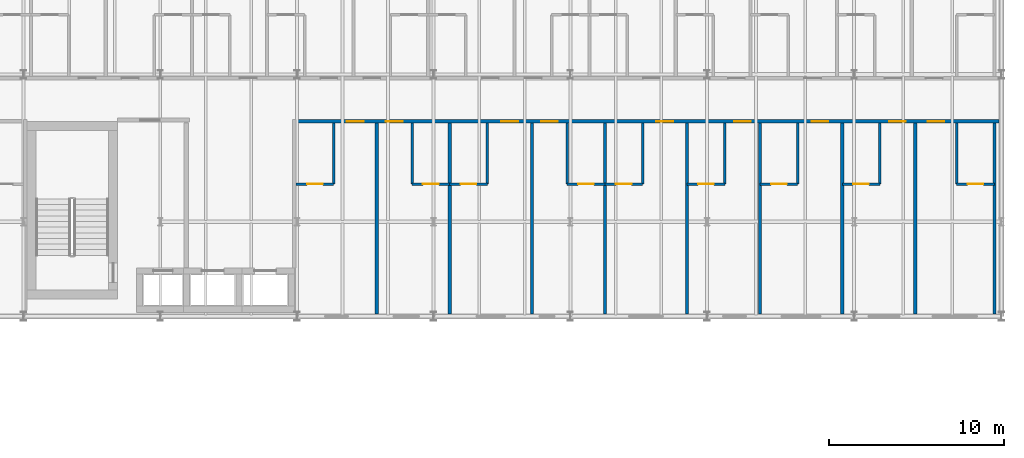
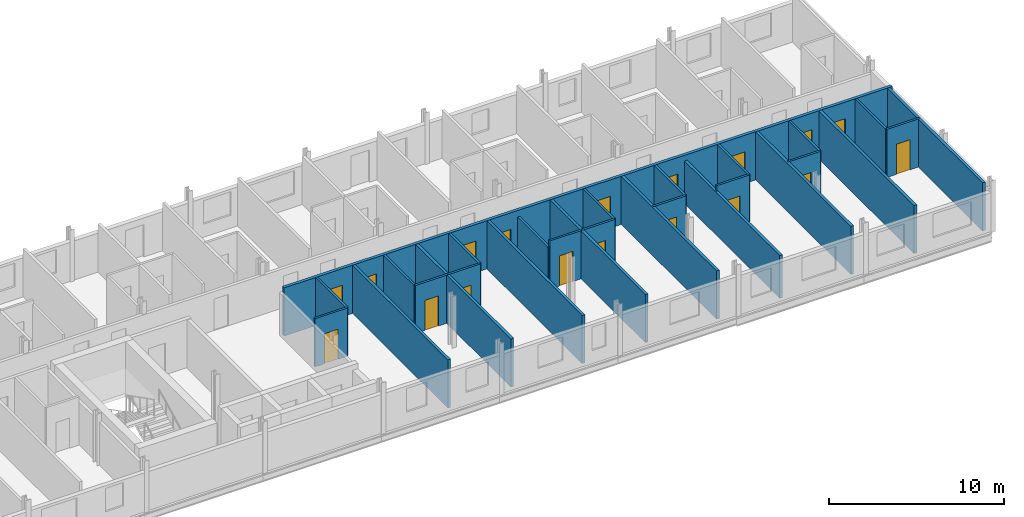
# One storey, part 27 of 34: 28 walls, 18 doors, 18 openings.
"""IFC4 building model written with IfcOpenShell, lengths in metres."""

from ifc_helpers import new_model, si_unit, direction, frame, frame_2d, origin, place, context, subcontext, project, spatial, rectangle, extrude, material, layer, layer_set, type_object, element, fill, save


model = new_model("IFC4")

# Units and contexts
model_context = context("Model", 3, precision=1e-05, world=origin(), true_north=direction((0.0, 1.0)))
body_context = subcontext(model_context, "Body", "Model", "MODEL_VIEW")
ifc_project = project(units=[si_unit("LENGTHUNIT", "METRE"), si_unit("AREAUNIT", "SQUARE_METRE"), si_unit("VOLUMEUNIT", "CUBIC_METRE"), si_unit("PLANEANGLEUNIT", "RADIAN"), si_unit("MASSUNIT", "GRAM", prefix="KILO")], contexts=[model_context])

# Site, building, storey
site_placement = place(None, origin())
site = spatial("IfcSite", under=ifc_project, at=site_placement, CompositionType="ELEMENT")
building_placement = place(site_placement, origin())
building = spatial("IfcBuilding", under=site, at=building_placement, Name="Sefraquen Railside Congress Hotel", CompositionType="ELEMENT")
storey_placement = place(building_placement, frame((0.0, 0.0, 31.800048828125)))
storey = spatial("IfcBuildingStorey", under=building, at=storey_placement, Name="L07", CompositionType="ELEMENT", Elevation=31.800048828125)

# Wall
ifc_material_1 = material(Name="Moisture-resistant gypsum board", Category="gypsum")
ifc_layer_1 = layer(ifc_material_1, 0.139892578125)
ifc_layer_set_1 = layer_set([ifc_layer_1], Name="Moisture-resistant gypsum board")
wall_type_1 = type_object("IfcWallType", Name="TW-PW-140", PredefinedType="PARTITIONING", material=ifc_layer_set_1)
wall_1_placement = place(storey_placement, frame((81.89990234375, 103.550048828125, 0.0), z_axis=(0.0, 0.0, 1.0), x_axis=(0.0, 1.0, 0.0)))
element("IfcWall", 1, at=wall_1_placement, inside=storey, type_object=wall_type_1, Name="En-suite bathroom east wall RM-028", PredefinedType="PARTITIONING", context=body_context, shape_type="SweptSolid", body=[
    extrude(rectangle(XDim=3.469970703125, YDim=0.139892578125, at=frame_2d((1.73486328125, 0.0))), origin(), (0.0, 0.0, 1.0), 3.35986328125),
])

# Wall, opening, door
wall_2_placement = place(storey_placement, frame((79.75, 103.550048828125, 0.0), z_axis=(0.0, 0.0, 1.0), x_axis=(1.0, 0.0, 0.0)))
wall_2 = element("IfcWall", 2, at=wall_2_placement, inside=storey, type_object=wall_type_1, Name="En-suite bathroom south wall RM-028", PredefinedType="PARTITIONING", context=body_context, shape_type="SweptSolid", body=[
    extrude(rectangle(XDim=2.14990234375, YDim=0.139892578125, at=frame_2d((1.074951171875, 0.0))), origin(), (0.0, 0.0, 1.0), 3.35986328125),
])
opening_1_placement = place(wall_2_placement, frame((0.625, 0.0, 0.0)))
opening_1 = element("IfcOpeningElement", 3, at=opening_1_placement, cuts=wall_2, Name="Opening ID-02", PredefinedType="OPENING", context=body_context, shape_type="SweptSolid", body=[
    extrude(rectangle(XDim=0.89990234375, YDim=2.10009765625, at=frame_2d((0.449951171875, 1.050048828125))), frame((0.0, 0.079833984375, 0.0), z_axis=(0.0, -1.0, 0.0), x_axis=(1.0, 0.0, 0.0)), (0.0, 0.0, 1.0), 0.159912109375),
])
ifc_material_2 = material(Name="Lacquered cedar joinery", Category="wood")
door_type_1 = type_object("IfcDoorType", Name="TD-ID-02", OperationType="NOTDEFINED", PredefinedType="DOOR", material=ifc_material_2)
door_1_placement = place(opening_1_placement, frame((0.89990234375, 0.0, 0.0), z_axis=(0.0, 0.0, 1.0), x_axis=(-1.0, 0.0, 0.0)))
door_1 = element("IfcDoor", 4, at=door_1_placement, inside=storey, type_object=door_type_1, Name="En-suite bathroom door RM-028", OperationType="SINGLE_SWING_LEFT", OverallHeight=2.10009765625, OverallWidth=0.89990234375, PredefinedType="DOOR", context=body_context, shape_type="SweptSolid", body=[
    extrude(rectangle(XDim=0.89990234375, YDim=2.10009765625, at=frame_2d((0.449951171875, 1.050048828125))), frame((0.0, 0.02490234375, 0.0), z_axis=(0.0, -1.0, 0.0), x_axis=(1.0, 0.0, 0.0)), (0.0, 0.0, 1.0), 0.050048828125),
])
fill(opening_1, door_1)

# Wall
wall_3_placement = place(storey_placement, frame((86.367919921875, 103.550048828125, 0.0), z_axis=(0.0, 0.0, 1.0), x_axis=(0.0, 1.0, 0.0)))
element("IfcWall", 5, at=wall_3_placement, inside=storey, type_object=wall_type_1, Name="En-suite bathroom west wall RM-029", PredefinedType="PARTITIONING", context=body_context, shape_type="SweptSolid", body=[
    extrude(rectangle(XDim=3.469970703125, YDim=0.139892578125, at=frame_2d((1.73486328125, 0.0))), origin(), (0.0, 0.0, 1.0), 3.35986328125),
])

# Wall, opening, door
wall_4_placement = place(storey_placement, frame((86.367919921875, 103.550048828125, 0.0), z_axis=(0.0, 0.0, 1.0), x_axis=(1.0, 0.0, 0.0)))
wall_4 = element("IfcWall", 6, at=wall_4_placement, inside=storey, type_object=wall_type_1, Name="En-suite bathroom south wall RM-029", PredefinedType="PARTITIONING", context=body_context, shape_type="SweptSolid", body=[
    extrude(rectangle(XDim=2.150146484375, YDim=0.139892578125, at=frame_2d((1.0751953125, 0.0))), origin(), (0.0, 0.0, 1.0), 3.35986328125),
])
opening_2_placement = place(wall_4_placement, frame((0.625, 0.0, 0.0)))
opening_2 = element("IfcOpeningElement", 7, at=opening_2_placement, cuts=wall_4, Name="Opening ID-02", PredefinedType="OPENING", context=body_context, shape_type="SweptSolid", body=[
    extrude(rectangle(XDim=0.89990234375, YDim=2.10009765625, at=frame_2d((0.449951171875, 1.050048828125))), frame((0.0, 0.079833984375, 0.0), z_axis=(0.0, -1.0, 0.0), x_axis=(1.0, 0.0, 0.0)), (0.0, 0.0, 1.0), 0.159912109375),
])
door_2_placement = place(opening_2_placement, frame((0.89990234375, 0.0, 0.0), z_axis=(0.0, 0.0, 1.0), x_axis=(-1.0, 0.0, 0.0)))
door_2 = element("IfcDoor", 8, at=door_2_placement, inside=storey, type_object=door_type_1, Name="En-suite bathroom door RM-029", OperationType="SINGLE_SWING_LEFT", OverallHeight=2.10009765625, OverallWidth=0.89990234375, PredefinedType="DOOR", context=body_context, shape_type="SweptSolid", body=[
    extrude(rectangle(XDim=0.89990234375, YDim=2.10009765625, at=frame_2d((0.449951171875, 1.050048828125))), frame((0.0, 0.02490234375, 0.0), z_axis=(0.0, -1.0, 0.0), x_axis=(1.0, 0.0, 0.0)), (0.0, 0.0, 1.0), 0.050048828125),
])
fill(opening_2, door_2)

# Wall
wall_5_placement = place(storey_placement, frame((90.66796875, 103.550048828125, 0.0), z_axis=(0.0, 0.0, 1.0), x_axis=(0.0, 1.0, 0.0)))
element("IfcWall", 9, at=wall_5_placement, inside=storey, type_object=wall_type_1, Name="En-suite bathroom east wall RM-030", PredefinedType="PARTITIONING", context=body_context, shape_type="SweptSolid", body=[
    extrude(rectangle(XDim=3.469970703125, YDim=0.139892578125, at=frame_2d((1.73486328125, 0.0))), origin(), (0.0, 0.0, 1.0), 3.35986328125),
])

# Wall, opening, door
wall_6_placement = place(storey_placement, frame((88.51806640625, 103.550048828125, 0.0), z_axis=(0.0, 0.0, 1.0), x_axis=(1.0, 0.0, 0.0)))
wall_6 = element("IfcWall", 10, at=wall_6_placement, inside=storey, type_object=wall_type_1, Name="En-suite bathroom south wall RM-030", PredefinedType="PARTITIONING", context=body_context, shape_type="SweptSolid", body=[
    extrude(rectangle(XDim=2.14990234375, YDim=0.139892578125, at=frame_2d((1.074951171875, 0.0))), origin(), (0.0, 0.0, 1.0), 3.35986328125),
])
opening_3_placement = place(wall_6_placement, frame((0.625, 0.0, 0.0)))
opening_3 = element("IfcOpeningElement", 11, at=opening_3_placement, cuts=wall_6, Name="Opening ID-02", PredefinedType="OPENING", context=body_context, shape_type="SweptSolid", body=[
    extrude(rectangle(XDim=0.89990234375, YDim=2.10009765625, at=frame_2d((0.449951171875, 1.050048828125))), frame((0.0, 0.079833984375, 0.0), z_axis=(0.0, -1.0, 0.0), x_axis=(1.0, 0.0, 0.0)), (0.0, 0.0, 1.0), 0.159912109375),
])
door_3_placement = place(opening_3_placement, frame((0.89990234375, 0.0, 0.0), z_axis=(0.0, 0.0, 1.0), x_axis=(-1.0, 0.0, 0.0)))
door_3 = element("IfcDoor", 12, at=door_3_placement, inside=storey, type_object=door_type_1, Name="En-suite bathroom door RM-030", OperationType="SINGLE_SWING_LEFT", OverallHeight=2.10009765625, OverallWidth=0.89990234375, PredefinedType="DOOR", context=body_context, shape_type="SweptSolid", body=[
    extrude(rectangle(XDim=0.89990234375, YDim=2.10009765625, at=frame_2d((0.449951171875, 1.050048828125))), frame((0.0, 0.02490234375, 0.0), z_axis=(0.0, -1.0, 0.0), x_axis=(1.0, 0.0, 0.0)), (0.0, 0.0, 1.0), 0.050048828125),
])
fill(opening_3, door_3)

# Wall
wall_7_placement = place(storey_placement, frame((95.222900390625, 103.550048828125, 0.0), z_axis=(0.0, 0.0, 1.0), x_axis=(0.0, 1.0, 0.0)))
element("IfcWall", 13, at=wall_7_placement, inside=storey, type_object=wall_type_1, Name="En-suite bathroom west wall RM-031", PredefinedType="PARTITIONING", context=body_context, shape_type="SweptSolid", body=[
    extrude(rectangle(XDim=3.469970703125, YDim=0.139892578125, at=frame_2d((1.73486328125, 0.0))), origin(), (0.0, 0.0, 1.0), 2.909912109375),
])

# Wall, opening, door
wall_8_placement = place(storey_placement, frame((95.222900390625, 103.550048828125, 0.0), z_axis=(0.0, 0.0, 1.0), x_axis=(1.0, 0.0, 0.0)))
wall_8 = element("IfcWall", 14, at=wall_8_placement, inside=storey, type_object=wall_type_1, Name="En-suite bathroom south wall RM-031", PredefinedType="PARTITIONING", context=body_context, shape_type="SweptSolid", body=[
    extrude(rectangle(XDim=2.150146484375, YDim=0.139892578125, at=frame_2d((1.0751953125, 0.0))), origin(), (0.0, 0.0, 1.0), 3.35986328125),
])
opening_4_placement = place(wall_8_placement, frame((0.625, 0.0, 0.0)))
opening_4 = element("IfcOpeningElement", 15, at=opening_4_placement, cuts=wall_8, Name="Opening ID-02", PredefinedType="OPENING", context=body_context, shape_type="SweptSolid", body=[
    extrude(rectangle(XDim=0.89990234375, YDim=2.10009765625, at=frame_2d((0.449951171875, 1.050048828125))), frame((0.0, 0.079833984375, 0.0), z_axis=(0.0, -1.0, 0.0), x_axis=(1.0, 0.0, 0.0)), (0.0, 0.0, 1.0), 0.159912109375),
])
door_4_placement = place(opening_4_placement, frame((0.89990234375, 0.0, 0.0), z_axis=(0.0, 0.0, 1.0), x_axis=(-1.0, 0.0, 0.0)))
door_4 = element("IfcDoor", 16, at=door_4_placement, inside=storey, type_object=door_type_1, Name="En-suite bathroom door RM-031", OperationType="SINGLE_SWING_LEFT", OverallHeight=2.10009765625, OverallWidth=0.89990234375, PredefinedType="DOOR", context=body_context, shape_type="SweptSolid", body=[
    extrude(rectangle(XDim=0.89990234375, YDim=2.10009765625, at=frame_2d((0.449951171875, 1.050048828125))), frame((0.0, 0.02490234375, 0.0), z_axis=(0.0, -1.0, 0.0), x_axis=(1.0, 0.0, 0.0)), (0.0, 0.0, 1.0), 0.050048828125),
])
fill(opening_4, door_4)

# Wall
wall_9_placement = place(storey_placement, frame((99.52294921875, 103.550048828125, 0.0), z_axis=(0.0, 0.0, 1.0), x_axis=(0.0, 1.0, 0.0)))
element("IfcWall", 17, at=wall_9_placement, inside=storey, type_object=wall_type_1, Name="En-suite bathroom east wall RM-032", PredefinedType="PARTITIONING", context=body_context, shape_type="SweptSolid", body=[
    extrude(rectangle(XDim=3.469970703125, YDim=0.139892578125, at=frame_2d((1.73486328125, 0.0))), origin(), (0.0, 0.0, 1.0), 3.35986328125),
])

# Wall, opening, door
wall_10_placement = place(storey_placement, frame((97.373046875, 103.550048828125, 0.0), z_axis=(0.0, 0.0, 1.0), x_axis=(1.0, 0.0, 0.0)))
wall_10 = element("IfcWall", 18, at=wall_10_placement, inside=storey, type_object=wall_type_1, Name="En-suite bathroom south wall RM-032", PredefinedType="PARTITIONING", context=body_context, shape_type="SweptSolid", body=[
    extrude(rectangle(XDim=2.14990234375, YDim=0.139892578125, at=frame_2d((1.074951171875, 0.0))), origin(), (0.0, 0.0, 1.0), 3.35986328125),
])
opening_5_placement = place(wall_10_placement, frame((0.625, 0.0, 0.0)))
opening_5 = element("IfcOpeningElement", 19, at=opening_5_placement, cuts=wall_10, Name="Opening ID-02", PredefinedType="OPENING", context=body_context, shape_type="SweptSolid", body=[
    extrude(rectangle(XDim=0.89990234375, YDim=2.10009765625, at=frame_2d((0.449951171875, 1.050048828125))), frame((0.0, 0.079833984375, 0.0), z_axis=(0.0, -1.0, 0.0), x_axis=(1.0, 0.0, 0.0)), (0.0, 0.0, 1.0), 0.159912109375),
])
door_5_placement = place(opening_5_placement, frame((0.89990234375, 0.0, 0.0), z_axis=(0.0, 0.0, 1.0), x_axis=(-1.0, 0.0, 0.0)))
door_5 = element("IfcDoor", 20, at=door_5_placement, inside=storey, type_object=door_type_1, Name="En-suite bathroom door RM-032", OperationType="SINGLE_SWING_LEFT", OverallHeight=2.10009765625, OverallWidth=0.89990234375, PredefinedType="DOOR", context=body_context, shape_type="SweptSolid", body=[
    extrude(rectangle(XDim=0.89990234375, YDim=2.10009765625, at=frame_2d((0.449951171875, 1.050048828125))), frame((0.0, 0.02490234375, 0.0), z_axis=(0.0, -1.0, 0.0), x_axis=(1.0, 0.0, 0.0)), (0.0, 0.0, 1.0), 0.050048828125),
])
fill(opening_5, door_5)

# Wall
wall_11_placement = place(storey_placement, frame((104.215087890625, 103.550048828125, 0.0), z_axis=(0.0, 0.0, 1.0), x_axis=(0.0, 1.0, 0.0)))
element("IfcWall", 21, at=wall_11_placement, inside=storey, type_object=wall_type_1, Name="En-suite bathroom east wall RM-033", PredefinedType="PARTITIONING", context=body_context, shape_type="SweptSolid", body=[
    extrude(rectangle(XDim=3.469970703125, YDim=0.139892578125, at=frame_2d((1.73486328125, 0.0))), origin(), (0.0, 0.0, 1.0), 3.35986328125),
])

# Wall, opening, door
wall_12_placement = place(storey_placement, frame((102.06494140625, 103.550048828125, 0.0), z_axis=(0.0, 0.0, 1.0), x_axis=(1.0, 0.0, 0.0)))
wall_12 = element("IfcWall", 22, at=wall_12_placement, inside=storey, type_object=wall_type_1, Name="En-suite bathroom south wall RM-033", PredefinedType="PARTITIONING", context=body_context, shape_type="SweptSolid", body=[
    extrude(rectangle(XDim=2.150146484375, YDim=0.139892578125, at=frame_2d((1.0751953125, 0.0))), origin(), (0.0, 0.0, 1.0), 3.35986328125),
])
opening_6_placement = place(wall_12_placement, frame((0.625, 0.0, 0.0)))
opening_6 = element("IfcOpeningElement", 23, at=opening_6_placement, cuts=wall_12, Name="Opening ID-02", PredefinedType="OPENING", context=body_context, shape_type="SweptSolid", body=[
    extrude(rectangle(XDim=0.89990234375, YDim=2.10009765625, at=frame_2d((0.449951171875, 1.050048828125))), frame((0.0, 0.079833984375, 0.0), z_axis=(0.0, -1.0, 0.0), x_axis=(1.0, 0.0, 0.0)), (0.0, 0.0, 1.0), 0.159912109375),
])
door_6_placement = place(opening_6_placement, frame((0.89990234375, 0.0, 0.0), z_axis=(0.0, 0.0, 1.0), x_axis=(-1.0, 0.0, 0.0)))
door_6 = element("IfcDoor", 24, at=door_6_placement, inside=storey, type_object=door_type_1, Name="En-suite bathroom door RM-033", OperationType="SINGLE_SWING_LEFT", OverallHeight=2.10009765625, OverallWidth=0.89990234375, PredefinedType="DOOR", context=body_context, shape_type="SweptSolid", body=[
    extrude(rectangle(XDim=0.89990234375, YDim=2.10009765625, at=frame_2d((0.449951171875, 1.050048828125))), frame((0.0, 0.02490234375, 0.0), z_axis=(0.0, -1.0, 0.0), x_axis=(1.0, 0.0, 0.0)), (0.0, 0.0, 1.0), 0.050048828125),
])
fill(opening_6, door_6)

# Wall
wall_13_placement = place(storey_placement, frame((108.37890625, 103.550048828125, 0.0), z_axis=(0.0, 0.0, 1.0), x_axis=(0.0, 1.0, 0.0)))
element("IfcWall", 25, at=wall_13_placement, inside=storey, type_object=wall_type_1, Name="En-suite bathroom east wall RM-034", PredefinedType="PARTITIONING", context=body_context, shape_type="SweptSolid", body=[
    extrude(rectangle(XDim=3.469970703125, YDim=0.139892578125, at=frame_2d((1.73486328125, 0.0))), origin(), (0.0, 0.0, 1.0), 3.35986328125),
])

# Wall, opening, door
wall_14_placement = place(storey_placement, frame((106.22900390625, 103.550048828125, 0.0), z_axis=(0.0, 0.0, 1.0), x_axis=(1.0, 0.0, 0.0)))
wall_14 = element("IfcWall", 26, at=wall_14_placement, inside=storey, type_object=wall_type_1, Name="En-suite bathroom south wall RM-034", PredefinedType="PARTITIONING", context=body_context, shape_type="SweptSolid", body=[
    extrude(rectangle(XDim=2.14990234375, YDim=0.139892578125, at=frame_2d((1.074951171875, 0.0))), origin(), (0.0, 0.0, 1.0), 3.35986328125),
])
opening_7_placement = place(wall_14_placement, frame((0.625, 0.0, 0.0)))
opening_7 = element("IfcOpeningElement", 27, at=opening_7_placement, cuts=wall_14, Name="Opening ID-02", PredefinedType="OPENING", context=body_context, shape_type="SweptSolid", body=[
    extrude(rectangle(XDim=0.89990234375, YDim=2.10009765625, at=frame_2d((0.449951171875, 1.050048828125))), frame((0.0, 0.079833984375, 0.0), z_axis=(0.0, -1.0, 0.0), x_axis=(1.0, 0.0, 0.0)), (0.0, 0.0, 1.0), 0.159912109375),
])
door_7_placement = place(opening_7_placement, frame((0.89990234375, 0.0, 0.0), z_axis=(0.0, 0.0, 1.0), x_axis=(-1.0, 0.0, 0.0)))
door_7 = element("IfcDoor", 28, at=door_7_placement, inside=storey, type_object=door_type_1, Name="En-suite bathroom door RM-034", OperationType="SINGLE_SWING_LEFT", OverallHeight=2.10009765625, OverallWidth=0.89990234375, PredefinedType="DOOR", context=body_context, shape_type="SweptSolid", body=[
    extrude(rectangle(XDim=0.89990234375, YDim=2.10009765625, at=frame_2d((0.449951171875, 1.050048828125))), frame((0.0, 0.02490234375, 0.0), z_axis=(0.0, -1.0, 0.0), x_axis=(1.0, 0.0, 0.0)), (0.0, 0.0, 1.0), 0.050048828125),
])
fill(opening_7, door_7)

# Wall
wall_15_placement = place(storey_placement, frame((113.070068359375, 103.550048828125, 0.0), z_axis=(0.0, 0.0, 1.0), x_axis=(0.0, 1.0, 0.0)))
element("IfcWall", 29, at=wall_15_placement, inside=storey, type_object=wall_type_1, Name="En-suite bathroom east wall RM-035", PredefinedType="PARTITIONING", context=body_context, shape_type="SweptSolid", body=[
    extrude(rectangle(XDim=3.469970703125, YDim=0.139892578125, at=frame_2d((1.73486328125, 0.0))), origin(), (0.0, 0.0, 1.0), 3.35986328125),
])

# Wall, opening, door
wall_16_placement = place(storey_placement, frame((110.919921875, 103.550048828125, 0.0), z_axis=(0.0, 0.0, 1.0), x_axis=(1.0, 0.0, 0.0)))
wall_16 = element("IfcWall", 30, at=wall_16_placement, inside=storey, type_object=wall_type_1, Name="En-suite bathroom south wall RM-035", PredefinedType="PARTITIONING", context=body_context, shape_type="SweptSolid", body=[
    extrude(rectangle(XDim=2.150146484375, YDim=0.139892578125, at=frame_2d((1.0751953125, 0.0))), origin(), (0.0, 0.0, 1.0), 3.35986328125),
])
opening_8_placement = place(wall_16_placement, frame((0.625, 0.0, 0.0)))
opening_8 = element("IfcOpeningElement", 31, at=opening_8_placement, cuts=wall_16, Name="Opening ID-02", PredefinedType="OPENING", context=body_context, shape_type="SweptSolid", body=[
    extrude(rectangle(XDim=0.89990234375, YDim=2.10009765625, at=frame_2d((0.449951171875, 1.050048828125))), frame((0.0, 0.079833984375, 0.0), z_axis=(0.0, -1.0, 0.0), x_axis=(1.0, 0.0, 0.0)), (0.0, 0.0, 1.0), 0.159912109375),
])
door_8_placement = place(opening_8_placement, frame((0.89990234375, 0.0, 0.0), z_axis=(0.0, 0.0, 1.0), x_axis=(-1.0, 0.0, 0.0)))
door_8 = element("IfcDoor", 32, at=door_8_placement, inside=storey, type_object=door_type_1, Name="En-suite bathroom door RM-035", OperationType="SINGLE_SWING_LEFT", OverallHeight=2.10009765625, OverallWidth=0.89990234375, PredefinedType="DOOR", context=body_context, shape_type="SweptSolid", body=[
    extrude(rectangle(XDim=0.89990234375, YDim=2.10009765625, at=frame_2d((0.449951171875, 1.050048828125))), frame((0.0, 0.02490234375, 0.0), z_axis=(0.0, -1.0, 0.0), x_axis=(1.0, 0.0, 0.0)), (0.0, 0.0, 1.0), 0.050048828125),
])
fill(opening_8, door_8)

# Wall
wall_17_placement = place(storey_placement, frame((117.449951171875, 103.550048828125, 0.0), z_axis=(0.0, 0.0, 1.0), x_axis=(0.0, 1.0, 0.0)))
element("IfcWall", 33, at=wall_17_placement, inside=storey, type_object=wall_type_1, Name="En-suite bathroom west wall RM-036", PredefinedType="PARTITIONING", context=body_context, shape_type="SweptSolid", body=[
    extrude(rectangle(XDim=3.469970703125, YDim=0.139892578125, at=frame_2d((1.73486328125, 0.0))), origin(), (0.0, 0.0, 1.0), 3.35986328125),
])

# Wall, opening, door
wall_18_placement = place(storey_placement, frame((117.449951171875, 103.550048828125, 0.0), z_axis=(0.0, 0.0, 1.0), x_axis=(1.0, 0.0, 0.0)))
wall_18 = element("IfcWall", 34, at=wall_18_placement, inside=storey, type_object=wall_type_1, Name="En-suite bathroom south wall RM-036", PredefinedType="PARTITIONING", context=body_context, shape_type="SweptSolid", body=[
    extrude(rectangle(XDim=2.150146484375, YDim=0.139892578125, at=frame_2d((1.0751953125, 0.0))), origin(), (0.0, 0.0, 1.0), 3.35986328125),
])
opening_9_placement = place(wall_18_placement, frame((0.625, 0.0, 0.0)))
opening_9 = element("IfcOpeningElement", 35, at=opening_9_placement, cuts=wall_18, Name="Opening ID-02", PredefinedType="OPENING", context=body_context, shape_type="SweptSolid", body=[
    extrude(rectangle(XDim=0.89990234375, YDim=2.10009765625, at=frame_2d((0.449951171875, 1.050048828125))), frame((0.0, 0.079833984375, 0.0), z_axis=(0.0, -1.0, 0.0), x_axis=(1.0, 0.0, 0.0)), (0.0, 0.0, 1.0), 0.159912109375),
])
door_9_placement = place(opening_9_placement, frame((0.89990234375, 0.0, 0.0), z_axis=(0.0, 0.0, 1.0), x_axis=(-1.0, 0.0, 0.0)))
door_9 = element("IfcDoor", 36, at=door_9_placement, inside=storey, type_object=door_type_1, Name="En-suite bathroom door RM-036", OperationType="SINGLE_SWING_LEFT", OverallHeight=2.10009765625, OverallWidth=0.89990234375, PredefinedType="DOOR", context=body_context, shape_type="SweptSolid", body=[
    extrude(rectangle(XDim=0.89990234375, YDim=2.10009765625, at=frame_2d((0.449951171875, 1.050048828125))), frame((0.0, 0.02490234375, 0.0), z_axis=(0.0, -1.0, 0.0), x_axis=(1.0, 0.0, 0.0)), (0.0, 0.0, 1.0), 0.050048828125),
])
fill(opening_9, door_9)

# Walls
ifc_material_3 = material(Name="Acoustic gypsum board on metal stud", Category="gypsum")
ifc_layer_2 = layer(ifc_material_3, 0.179931640625)
ifc_layer_set_2 = layer_set([ifc_layer_2], Name="Acoustic gypsum board on metal stud")
wall_type_2 = type_object("IfcWallType", Name="TW-PW-180", PredefinedType="PARTITIONING", material=ifc_layer_set_2)
for number, where, z_axis, x_axis, name in (
    (37, (84.35400390625, 96.139892578125, 0.0), (0.0, 0.0, 1.0), (0.0, 1.0, 0.0), "South guest room demising wall RM-028"),
    (38, (88.51806640625, 96.139892578125, 0.0), (0.0, 0.0, 1.0), (0.0, 1.0, 0.0), "South guest room demising wall RM-029"),
    (39, (93.208984375, 96.139892578125, 0.0), (0.0, 0.0, 1.0), (0.0, 1.0, 0.0), "South guest room demising wall RM-030"),
    (40, (97.373046875, 96.139892578125, 0.0), (0.0, 0.0, 1.0), (0.0, 1.0, 0.0), "South guest room demising wall RM-031"),
    (41, (102.06494140625, 96.139892578125, 0.0), (0.0, 0.0, 1.0), (0.0, 1.0, 0.0), "South guest room demising wall RM-032"),
):
    element("IfcWall", number, at=place(storey_placement, frame(where, z_axis=z_axis, x_axis=x_axis)), inside=storey, type_object=wall_type_2, Name=name, PredefinedType="PARTITIONING", context=body_context, shape_type="SweptSolid", body=[
        extrude(rectangle(XDim=10.880126953125, YDim=0.179931640625, at=frame_2d((5.43994140625, 0.0))), origin(), (0.0, 0.0, 1.0), 3.35986328125),
    ])
wall_19_placement = place(storey_placement, frame((106.22900390625, 96.139892578125, 0.0), z_axis=(0.0, 0.0, 1.0), x_axis=(0.0, 1.0, 0.0)))
element("IfcWall", 42, at=wall_19_placement, inside=storey, type_object=wall_type_2, Name="South guest room demising wall RM-033", PredefinedType="PARTITIONING", context=body_context, shape_type="SweptSolid", body=[
    extrude(rectangle(XDim=10.880126953125, YDim=0.179931640625, at=frame_2d((5.43994140625, 0.0))), origin(), (0.0, 0.0, 1.0), 2.969970703125),
])
for number, where, z_axis, x_axis, name in (
    (43, (110.919921875, 96.139892578125, 0.0), (0.0, 0.0, 1.0), (0.0, 1.0, 0.0), "South guest room demising wall RM-034"),
    (44, (115.083984375, 96.139892578125, 0.0), (0.0, 0.0, 1.0), (0.0, 1.0, 0.0), "South guest room demising wall RM-035"),
    (45, (119.60009765625, 96.139892578125, 0.0), (0.0, 0.0, 1.0), (0.0, 1.0, 0.0), "South guest room demising wall RM-036"),
):
    element("IfcWall", number, at=place(storey_placement, frame(where, z_axis=z_axis, x_axis=x_axis)), inside=storey, type_object=wall_type_2, Name=name, PredefinedType="PARTITIONING", context=body_context, shape_type="SweptSolid", body=[
        extrude(rectangle(XDim=10.880126953125, YDim=0.179931640625, at=frame_2d((5.43994140625, 0.0))), origin(), (0.0, 0.0, 1.0), 3.35986328125),
    ])

# Wall, openings, doors
ifc_layer_3 = layer(ifc_material_3, 0.199951171875)
ifc_layer_set_3 = layer_set([ifc_layer_3], Name="Acoustic gypsum board on metal stud")
wall_type_3 = type_object("IfcWallType", Name="TW-PW-200", PredefinedType="PARTITIONING", material=ifc_layer_set_3)
wall_20_placement = place(storey_placement, frame((79.760009765625, 107.1201171875, 0.0), z_axis=(0.0, 0.0, 1.0), x_axis=(1.0, 0.0, 0.0)))
wall_20 = element("IfcWall", 46, at=wall_20_placement, inside=storey, type_object=wall_type_3, Name="Hotel L07 south-east corridor fire-rated partition", PredefinedType="PARTITIONING", context=body_context, shape_type="SweptSolid", body=[
    extrude(rectangle(XDim=40.10009765625, YDim=0.199951171875, at=frame_2d((20.050048828125, 0.0))), origin(), (0.0, 0.0, 1.0), 3.35986328125),
])
opening_10_placement = place(wall_20_placement, frame((2.886962890625, 0.0, 0.0)))
opening_10 = element("IfcOpeningElement", 47, at=opening_10_placement, cuts=wall_20, Name="Opening GD-02", PredefinedType="OPENING", context=body_context, shape_type="SweptSolid", body=[
    extrude(rectangle(XDim=0.9599609375, YDim=2.199951171875, at=frame_2d((0.47998046875, 1.10009765625))), frame((0.0, 0.10986328125, 0.0), z_axis=(0.0, -1.0, 0.0), x_axis=(1.0, 0.0, 0.0)), (0.0, 0.0, 1.0), 0.219970703125),
])
opening_11_placement = place(wall_20_placement, frame((5.12109375, 0.0, 0.0)))
opening_11 = element("IfcOpeningElement", 48, at=opening_11_placement, cuts=wall_20, Name="Opening GD-02", PredefinedType="OPENING", context=body_context, shape_type="SweptSolid", body=[
    extrude(rectangle(XDim=0.9599609375, YDim=2.199951171875, at=frame_2d((0.47998046875, 1.10009765625))), frame((0.0, 0.10986328125, 0.0), z_axis=(0.0, -1.0, 0.0), x_axis=(1.0, 0.0, 0.0)), (0.0, 0.0, 1.0), 0.219970703125),
])
opening_12_placement = place(wall_20_placement, frame((11.697998046875, 0.0, 0.0)))
opening_12 = element("IfcOpeningElement", 49, at=opening_12_placement, cuts=wall_20, Name="Opening GD-02", PredefinedType="OPENING", context=body_context, shape_type="SweptSolid", body=[
    extrude(rectangle(XDim=0.9599609375, YDim=2.199951171875, at=frame_2d((0.47998046875, 1.10009765625))), frame((0.0, 0.10986328125, 0.0), z_axis=(0.0, -1.0, 0.0), x_axis=(1.0, 0.0, 0.0)), (0.0, 0.0, 1.0), 0.219970703125),
])
opening_13_placement = place(wall_20_placement, frame((13.97607421875, 0.0, 0.0)))
opening_13 = element("IfcOpeningElement", 50, at=opening_13_placement, cuts=wall_20, Name="Opening GD-02", PredefinedType="OPENING", context=body_context, shape_type="SweptSolid", body=[
    extrude(rectangle(XDim=0.9599609375, YDim=2.199951171875, at=frame_2d((0.47998046875, 1.10009765625))), frame((0.0, 0.10986328125, 0.0), z_axis=(0.0, -1.0, 0.0), x_axis=(1.0, 0.0, 0.0)), (0.0, 0.0, 1.0), 0.219970703125),
])
opening_14_placement = place(wall_20_placement, frame((20.553955078125, 0.0, 0.0)))
opening_14 = element("IfcOpeningElement", 51, at=opening_14_placement, cuts=wall_20, Name="Opening GD-02", PredefinedType="OPENING", context=body_context, shape_type="SweptSolid", body=[
    extrude(rectangle(XDim=0.9599609375, YDim=2.199951171875, at=frame_2d((0.47998046875, 1.10009765625))), frame((0.0, 0.10986328125, 0.0), z_axis=(0.0, -1.0, 0.0), x_axis=(1.0, 0.0, 0.0)), (0.0, 0.0, 1.0), 0.219970703125),
])
opening_15_placement = place(wall_20_placement, frame((24.98193359375, 0.0, 0.0)))
opening_15 = element("IfcOpeningElement", 52, at=opening_15_placement, cuts=wall_20, Name="Opening GD-02", PredefinedType="OPENING", context=body_context, shape_type="SweptSolid", body=[
    extrude(rectangle(XDim=0.9599609375, YDim=2.199951171875, at=frame_2d((0.47998046875, 1.10009765625))), frame((0.0, 0.10986328125, 0.0), z_axis=(0.0, -1.0, 0.0), x_axis=(1.0, 0.0, 0.0)), (0.0, 0.0, 1.0), 0.219970703125),
])
opening_16_placement = place(wall_20_placement, frame((29.408935546875, 0.0, 0.0)))
opening_16 = element("IfcOpeningElement", 53, at=opening_16_placement, cuts=wall_20, Name="Opening GD-02", PredefinedType="OPENING", context=body_context, shape_type="SweptSolid", body=[
    extrude(rectangle(XDim=0.9599609375, YDim=2.199951171875, at=frame_2d((0.47998046875, 1.10009765625))), frame((0.0, 0.10986328125, 0.0), z_axis=(0.0, -1.0, 0.0), x_axis=(1.0, 0.0, 0.0)), (0.0, 0.0, 1.0), 0.219970703125),
])
opening_17_placement = place(wall_20_placement, frame((33.8369140625, 0.0, 0.0)))
opening_17 = element("IfcOpeningElement", 54, at=opening_17_placement, cuts=wall_20, Name="Opening GD-02", PredefinedType="OPENING", context=body_context, shape_type="SweptSolid", body=[
    extrude(rectangle(XDim=0.9599609375, YDim=2.199951171875, at=frame_2d((0.47998046875, 1.10009765625))), frame((0.0, 0.10986328125, 0.0), z_axis=(0.0, -1.0, 0.0), x_axis=(1.0, 0.0, 0.0)), (0.0, 0.0, 1.0), 0.219970703125),
])
opening_18_placement = place(wall_20_placement, frame((36.027099609375, 0.0, 0.0)))
opening_18 = element("IfcOpeningElement", 55, at=opening_18_placement, cuts=wall_20, Name="Opening GD-02", PredefinedType="OPENING", context=body_context, shape_type="SweptSolid", body=[
    extrude(rectangle(XDim=0.9599609375, YDim=2.199951171875, at=frame_2d((0.47998046875, 1.10009765625))), frame((0.0, 0.10986328125, 0.0), z_axis=(0.0, -1.0, 0.0), x_axis=(1.0, 0.0, 0.0)), (0.0, 0.0, 1.0), 0.219970703125),
])
ifc_material_4 = material(Name="Solid Atlas cedar timber fire leaf", Category="wood")
door_type_2 = type_object("IfcDoorType", Name="TD-GD-02", OperationType="NOTDEFINED", PredefinedType="DOOR", material=ifc_material_4)
door_10_placement = place(opening_10_placement, frame((0.9599609375, 0.0, 0.0), z_axis=(0.0, 0.0, 1.0), x_axis=(-1.0, 0.0, 0.0)))
door_10 = element("IfcDoor", 56, at=door_10_placement, inside=storey, type_object=door_type_2, Name="Guest room entrance fire door RM-028", OperationType="SINGLE_SWING_RIGHT", OverallHeight=2.199951171875, OverallWidth=0.9599609375, PredefinedType="DOOR", context=body_context, shape_type="SweptSolid", body=[
    extrude(rectangle(XDim=0.9599609375, YDim=2.199951171875, at=frame_2d((0.47998046875, 1.10009765625))), frame((0.0, 0.02490234375, 0.0), z_axis=(0.0, -1.0, 0.0), x_axis=(1.0, 0.0, 0.0)), (0.0, 0.0, 1.0), 0.050048828125),
])
fill(opening_10, door_10)
door_11_placement = place(opening_11_placement, frame((0.9599609375, 0.0, 0.0), z_axis=(0.0, 0.0, 1.0), x_axis=(-1.0, 0.0, 0.0)))
door_11 = element("IfcDoor", 57, at=door_11_placement, inside=storey, type_object=door_type_2, Name="Guest room entrance fire door RM-029", OperationType="SINGLE_SWING_RIGHT", OverallHeight=2.199951171875, OverallWidth=0.9599609375, PredefinedType="DOOR", context=body_context, shape_type="SweptSolid", body=[
    extrude(rectangle(XDim=0.9599609375, YDim=2.199951171875, at=frame_2d((0.47998046875, 1.10009765625))), frame((0.0, 0.02490234375, 0.0), z_axis=(0.0, -1.0, 0.0), x_axis=(1.0, 0.0, 0.0)), (0.0, 0.0, 1.0), 0.050048828125),
])
fill(opening_11, door_11)
door_12_placement = place(opening_12_placement, frame((0.9599609375, 0.0, 0.0), z_axis=(0.0, 0.0, 1.0), x_axis=(-1.0, 0.0, 0.0)))
door_12 = element("IfcDoor", 58, at=door_12_placement, inside=storey, type_object=door_type_2, Name="Guest room entrance fire door RM-030", OperationType="SINGLE_SWING_RIGHT", OverallHeight=2.199951171875, OverallWidth=0.9599609375, PredefinedType="DOOR", context=body_context, shape_type="SweptSolid", body=[
    extrude(rectangle(XDim=0.9599609375, YDim=2.199951171875, at=frame_2d((0.47998046875, 1.10009765625))), frame((0.0, 0.02490234375, 0.0), z_axis=(0.0, -1.0, 0.0), x_axis=(1.0, 0.0, 0.0)), (0.0, 0.0, 1.0), 0.050048828125),
])
fill(opening_12, door_12)
door_13_placement = place(opening_13_placement, frame((0.9599609375, 0.0, 0.0), z_axis=(0.0, 0.0, 1.0), x_axis=(-1.0, 0.0, 0.0)))
door_13 = element("IfcDoor", 59, at=door_13_placement, inside=storey, type_object=door_type_2, Name="Guest room entrance fire door RM-031", OperationType="SINGLE_SWING_RIGHT", OverallHeight=2.199951171875, OverallWidth=0.9599609375, PredefinedType="DOOR", context=body_context, shape_type="SweptSolid", body=[
    extrude(rectangle(XDim=0.9599609375, YDim=2.199951171875, at=frame_2d((0.47998046875, 1.10009765625))), frame((0.0, 0.02490234375, 0.0), z_axis=(0.0, -1.0, 0.0), x_axis=(1.0, 0.0, 0.0)), (0.0, 0.0, 1.0), 0.050048828125),
])
fill(opening_13, door_13)
door_14_placement = place(opening_14_placement, frame((0.9599609375, 0.0, 0.0), z_axis=(0.0, 0.0, 1.0), x_axis=(-1.0, 0.0, 0.0)))
door_14 = element("IfcDoor", 60, at=door_14_placement, inside=storey, type_object=door_type_2, Name="Guest room entrance fire door RM-032", OperationType="SINGLE_SWING_RIGHT", OverallHeight=2.199951171875, OverallWidth=0.9599609375, PredefinedType="DOOR", context=body_context, shape_type="SweptSolid", body=[
    extrude(rectangle(XDim=0.9599609375, YDim=2.199951171875, at=frame_2d((0.47998046875, 1.10009765625))), frame((0.0, 0.02490234375, 0.0), z_axis=(0.0, -1.0, 0.0), x_axis=(1.0, 0.0, 0.0)), (0.0, 0.0, 1.0), 0.050048828125),
])
fill(opening_14, door_14)
door_15_placement = place(opening_15_placement, frame((0.9599609375, 0.0, 0.0), z_axis=(0.0, 0.0, 1.0), x_axis=(-1.0, 0.0, 0.0)))
door_15 = element("IfcDoor", 61, at=door_15_placement, inside=storey, type_object=door_type_2, Name="Guest room entrance fire door RM-033", OperationType="SINGLE_SWING_RIGHT", OverallHeight=2.199951171875, OverallWidth=0.9599609375, PredefinedType="DOOR", context=body_context, shape_type="SweptSolid", body=[
    extrude(rectangle(XDim=0.9599609375, YDim=2.199951171875, at=frame_2d((0.47998046875, 1.10009765625))), frame((0.0, 0.02490234375, 0.0), z_axis=(0.0, -1.0, 0.0), x_axis=(1.0, 0.0, 0.0)), (0.0, 0.0, 1.0), 0.050048828125),
])
fill(opening_15, door_15)
door_16_placement = place(opening_16_placement, frame((0.9599609375, 0.0, 0.0), z_axis=(0.0, 0.0, 1.0), x_axis=(-1.0, 0.0, 0.0)))
door_16 = element("IfcDoor", 62, at=door_16_placement, inside=storey, type_object=door_type_2, Name="Guest room entrance fire door RM-034", OperationType="SINGLE_SWING_RIGHT", OverallHeight=2.199951171875, OverallWidth=0.9599609375, PredefinedType="DOOR", context=body_context, shape_type="SweptSolid", body=[
    extrude(rectangle(XDim=0.9599609375, YDim=2.199951171875, at=frame_2d((0.47998046875, 1.10009765625))), frame((0.0, 0.02490234375, 0.0), z_axis=(0.0, -1.0, 0.0), x_axis=(1.0, 0.0, 0.0)), (0.0, 0.0, 1.0), 0.050048828125),
])
fill(opening_16, door_16)
door_17_placement = place(opening_17_placement, frame((0.9599609375, 0.0, 0.0), z_axis=(0.0, 0.0, 1.0), x_axis=(-1.0, 0.0, 0.0)))
door_17 = element("IfcDoor", 63, at=door_17_placement, inside=storey, type_object=door_type_2, Name="Guest room entrance fire door RM-035", OperationType="SINGLE_SWING_RIGHT", OverallHeight=2.199951171875, OverallWidth=0.9599609375, PredefinedType="DOOR", context=body_context, shape_type="SweptSolid", body=[
    extrude(rectangle(XDim=0.9599609375, YDim=2.199951171875, at=frame_2d((0.47998046875, 1.10009765625))), frame((0.0, 0.02490234375, 0.0), z_axis=(0.0, -1.0, 0.0), x_axis=(1.0, 0.0, 0.0)), (0.0, 0.0, 1.0), 0.050048828125),
])
fill(opening_17, door_17)
door_18_placement = place(opening_18_placement, frame((0.9599609375, 0.0, 0.0), z_axis=(0.0, 0.0, 1.0), x_axis=(-1.0, 0.0, 0.0)))
door_18 = element("IfcDoor", 64, at=door_18_placement, inside=storey, type_object=door_type_2, Name="Guest room entrance fire door RM-036", OperationType="SINGLE_SWING_RIGHT", OverallHeight=2.199951171875, OverallWidth=0.9599609375, PredefinedType="DOOR", context=body_context, shape_type="SweptSolid", body=[
    extrude(rectangle(XDim=0.9599609375, YDim=2.199951171875, at=frame_2d((0.47998046875, 1.10009765625))), frame((0.0, 0.02490234375, 0.0), z_axis=(0.0, -1.0, 0.0), x_axis=(1.0, 0.0, 0.0)), (0.0, 0.0, 1.0), 0.050048828125),
])
fill(opening_18, door_18)

save(model, "model.ifc")
